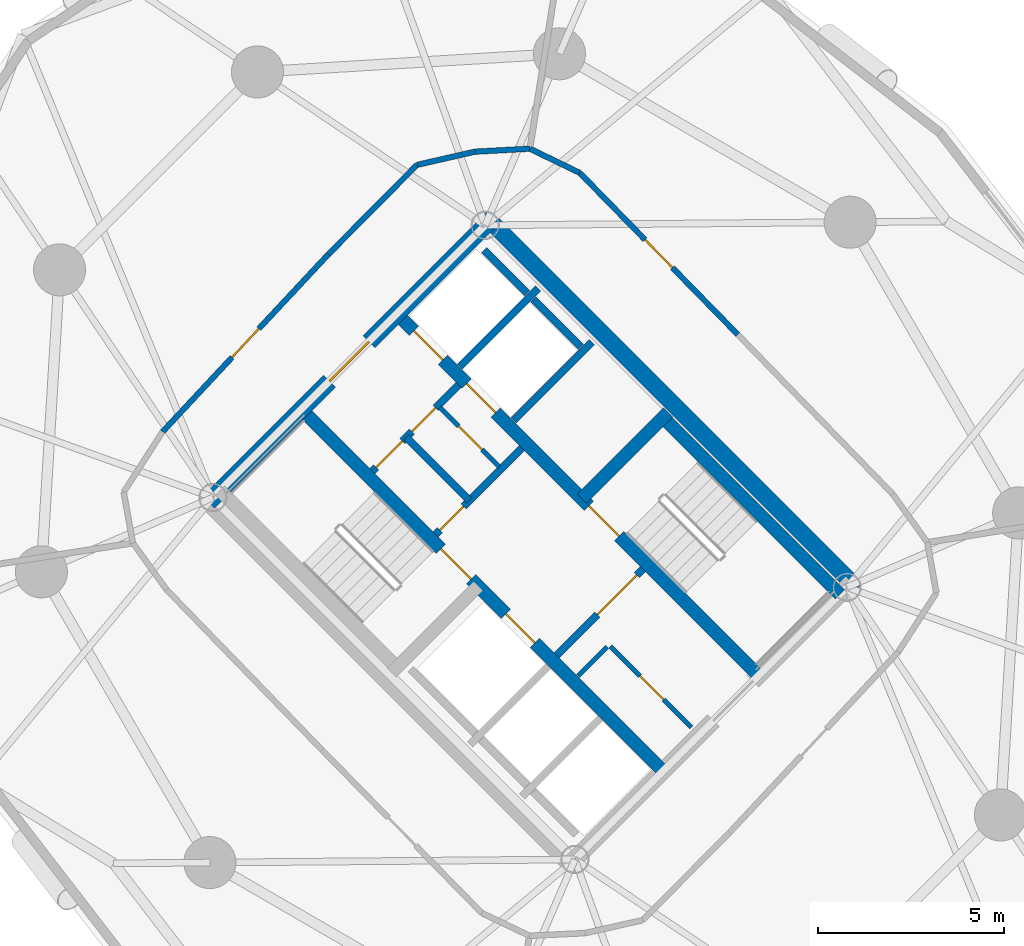
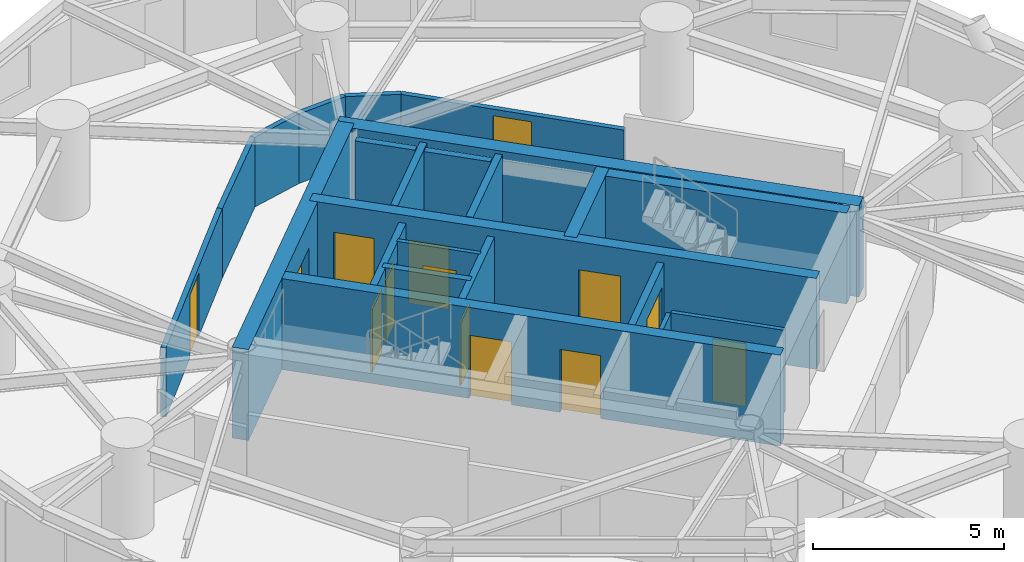
# One storey, part 12 of 17: 23 walls, 14 doors, 14 openings.
"""IFC4 building model written with IfcOpenShell, lengths in metres."""

import ifcopenshell
import ifcopenshell.guid

model = None  # the IFC model being written
_history = None  # IfcOwnerHistory: only IFC2X3 demands one
_inside = {}  # id of a spatial element -> (the spatial element, [elements in it])
_under = {}  # id of a project, library or spatial element -> (it, [spatial elements below it])
_declared = {}  # id of a project -> (the project, [libraries it declares])
_typed = {}  # id of a type object -> (the type object, [elements of that type])
_made_of = {}  # id of a material, layer set ... -> (it, [elements and type objects made of it])


def new_model(schema):
    """Start an empty IFC model of exactly this schema.

    Asked for "IFC4X3", IfcOpenShell would pick the latest addendum, in which some entities
    have other attributes; the version numbers below select the first issue.
    IFC2X3 requires an IfcOwnerHistory on every rooted entity: one is made here for all.
    """
    global model, _history
    if schema == "IFC4X3":
        model = ifcopenshell.file(schema_version=(4, 3, 0, 0))
    else:
        model = ifcopenshell.file(schema=schema)
    _inside.clear()
    _under.clear()
    _declared.clear()
    _typed.clear()
    _made_of.clear()
    _history = None
    if model.schema == "IFC2X3":
        org = make("IfcOrganization", Name="unknown")
        user = make(
            "IfcPersonAndOrganization",
            ThePerson=make("IfcPerson", FamilyName="unknown"),
            TheOrganization=org,
        )
        app = make(
            "IfcApplication",
            ApplicationDeveloper=org,
            Version="unknown",
            ApplicationFullName="unknown",
            ApplicationIdentifier="unknown",
        )
        _history = make(
            "IfcOwnerHistory",
            OwningUser=user,
            OwningApplication=app,
            ChangeAction="ADDED",
            CreationDate=0,
        )
    return model


def make(cls, **values):
    """One entity of the class cls with the attributes given. An attribute that is None is left unset."""
    return model.create_entity(
        cls, **{name: value for name, value in values.items() if value is not None}
    )


def rooted(cls, **values):
    """An entity with a GlobalId (a new one), such as an element, a storey or a relation."""
    return make(cls, GlobalId=ifcopenshell.guid.new(), OwnerHistory=_history, **values)


def si_unit(unit_type, name, prefix=None):
    """IfcSIUnit, for example si_unit("LENGTHUNIT", "METRE", prefix="MILLI")."""
    return make("IfcSIUnit", UnitType=unit_type, Prefix=prefix, Name=name)


def assignment(units):
    """IfcUnitAssignment: the units of a project."""
    return None if units is None else make("IfcUnitAssignment", Units=units)


def point(xyz):
    """IfcCartesianPoint."""
    return None if xyz is None else make("IfcCartesianPoint", Coordinates=xyz)


def direction(xyz):
    """IfcDirection."""
    return None if xyz is None else make("IfcDirection", DirectionRatios=xyz)


def frame(location, z_axis=None, x_axis=None):
    """IfcAxis2Placement3D, a coordinate frame: its origin and axes. An axis left out is left unset."""
    return make(
        "IfcAxis2Placement3D",
        Location=point(location),
        Axis=direction(z_axis),
        RefDirection=direction(x_axis),
    )


def frame_2d(location, x_axis=None):
    """IfcAxis2Placement2D, a coordinate frame in the plane: its origin and x axis."""
    return make(
        "IfcAxis2Placement2D", Location=point(location), RefDirection=direction(x_axis)
    )


def origin():
    """The frame at (0, 0, 0) with its axes left unset."""
    return frame((0.0, 0.0, 0.0))


def place(relative_to, where):
    """IfcLocalPlacement: puts the frame where relative to a parent placement (None: the world)."""
    return make(
        "IfcLocalPlacement", PlacementRelTo=relative_to, RelativePlacement=where
    )


def context(
    kind, dimensions, precision=None, world=None, true_north=None, identifier=None
):
    """IfcGeometricRepresentationContext, for example the 3D "Model" context."""
    return make(
        "IfcGeometricRepresentationContext",
        ContextIdentifier=identifier,
        ContextType=kind,
        CoordinateSpaceDimension=dimensions,
        Precision=precision,
        WorldCoordinateSystem=world,
        TrueNorth=true_north,
    )


def subcontext(parent, identifier, kind, view, scale=None):
    """IfcGeometricRepresentationSubContext, for example "Body" below "Model"."""
    return make(
        "IfcGeometricRepresentationSubContext",
        ContextIdentifier=identifier,
        ContextType=kind,
        ParentContext=parent,
        TargetScale=scale,
        TargetView=view,
    )


def project(units=None, contexts=None):
    """IfcProject with its units and contexts."""
    return rooted(
        "IfcProject",
        Name="project",
        RepresentationContexts=contexts,
        UnitsInContext=assignment(units),
    )


def spatial(cls, under=None, at=None, **own):
    """A site, building, storey or space (cls), placed at a placement, below another one or the project."""
    s = rooted(cls, ObjectPlacement=at, **own)
    if under is not None:
        _under.setdefault(under.id(), (under, []))[1].append(s)
    return s


def profile(cls, at=None, kind="AREA", **sizes):
    """A parametric profile (cls). Its sizes go by their IFC names, for example OverallWidth=200.0."""
    return make(cls, ProfileType=kind, Position=at, **sizes)


def rectangle(**sizes):
    """IfcRectangleProfileDef."""
    return profile("IfcRectangleProfileDef", **sizes)


def extrude(swept, where, along, depth):
    """IfcExtrudedAreaSolid: the profile swept, set in the frame where, extruded along a direction by depth."""
    return make(
        "IfcExtrudedAreaSolid",
        SweptArea=swept,
        Position=where,
        ExtrudedDirection=direction(along),
        Depth=depth,
    )


def shape(context_of_items, identifier, shape_type, items):
    """IfcShapeRepresentation: the items that make up one representation, for example the "Body"."""
    return make(
        "IfcShapeRepresentation",
        ContextOfItems=context_of_items,
        RepresentationIdentifier=identifier,
        RepresentationType=shape_type,
        Items=items,
    )


def source(mapping_origin, context_of_items, identifier, shape_type, items):
    """IfcRepresentationMap: a shape defined once, which mapped items show again and again."""
    return make(
        "IfcRepresentationMap",
        MappingOrigin=mapping_origin,
        MappedRepresentation=shape(context_of_items, identifier, shape_type, items),
    )


def transform(
    local_origin,
    x_axis=None,
    y_axis=None,
    z_axis=None,
    scale=None,
    scale2=None,
    scale3=None,
    uniform=True,
):
    """IfcCartesianTransformationOperator3D, or its non-uniform kind. x_axis, y_axis, z_axis: its Axis1, 2, 3."""
    if uniform:
        return make(
            "IfcCartesianTransformationOperator3D",
            Axis1=direction(x_axis),
            Axis2=direction(y_axis),
            LocalOrigin=point(local_origin),
            Scale=scale,
            Axis3=direction(z_axis),
        )
    return make(
        "IfcCartesianTransformationOperator3DnonUniform",
        Axis1=direction(x_axis),
        Axis2=direction(y_axis),
        LocalOrigin=point(local_origin),
        Scale=scale,
        Axis3=direction(z_axis),
        Scale2=scale2,
        Scale3=scale3,
    )


def mapped(mapping_source, mapping_target):
    """IfcMappedItem: shows the shape of a source again, moved by a transform."""
    return make(
        "IfcMappedItem", MappingSource=mapping_source, MappingTarget=mapping_target
    )


def material(Name=None, Category=None):
    """IfcMaterial."""
    return make("IfcMaterial", Name=Name, Category=Category)


def layer(
    of_material, thickness, ventilated=None, Name=None, Category=None, Priority=None
):
    """IfcMaterialLayer: one layer of a wall or slab, of a material (None: an air gap)."""
    return make(
        "IfcMaterialLayer",
        Material=of_material,
        LayerThickness=thickness,
        IsVentilated=ventilated,
        Name=Name,
        Category=Category,
        Priority=Priority,
    )


def layer_set(layers, Name=None):
    """IfcMaterialLayerSet."""
    return make("IfcMaterialLayerSet", MaterialLayers=layers, LayerSetName=Name)


def made_of(thing, what):
    """Note that an element or type object is made of a material, layer set ...; save() writes the relation."""
    if what is not None:
        _made_of.setdefault(what.id(), (what, []))[1].append(thing)
    return thing


def type_object(cls, material=None, **own):
    """A type object (cls), such as IfcWallType, which elements share."""
    return made_of(rooted(cls, **own), material)


def element(
    cls,
    number,
    at=None,
    inside=None,
    cuts=None,
    type_object=None,
    material=None,
    context=None,
    identifier="Body",
    shape_type=None,
    held_by="IfcProductDefinitionShape",
    body=None,
    shapes=None,
    **own,
):
    """One element of the class cls, such as IfcWall. Its Tag is "e" and its number.

    at: its placement. inside: the storey or other place that contains it. cuts: it is an
    opening in that element (IfcRelVoidsElement). A single representation is given by context,
    identifier, shape_type and body (its items); several are given by shapes. held_by: the class
    of the entity that holds the representations. save() writes the other relations.
    """
    e = rooted(cls, Tag="e%d" % number, ObjectPlacement=at, **own)
    if body is not None:
        shapes = [shape(context, identifier, shape_type, body)]
    if shapes is not None:
        e.Representation = make(held_by, Representations=shapes)
    if inside is not None:
        _inside.setdefault(inside.id(), (inside, []))[1].append(e)
    if cuts is not None:
        rooted(
            "IfcRelVoidsElement", RelatingBuildingElement=cuts, RelatedOpeningElement=e
        )
    if type_object is not None:
        _typed.setdefault(type_object.id(), (type_object, []))[1].append(e)
    return made_of(e, material)


def fill(opening, filler):
    """IfcRelFillsElement: the door or window that sits in an opening."""
    return rooted(
        "IfcRelFillsElement",
        RelatingOpeningElement=opening,
        RelatedBuildingElement=filler,
    )


def aggregate(whole, parts):
    """IfcRelAggregates: a whole, such as a stair, and the parts it consists of."""
    return rooted("IfcRelAggregates", RelatingObject=whole, RelatedObjects=parts)


def save(model, path):
    """Write the relations noted so far, then the file.

    IfcRelAggregates (storeys below a building ...), IfcRelContainedInSpatialStructure (elements
    in a storey), IfcRelDefinesByType, IfcRelAssociatesMaterial and IfcRelDeclares: one each for
    every whole, place, type object, material and project.
    """
    for whole, parts in _under.values():
        aggregate(whole, parts)
    for where, things in _inside.values():
        rooted(
            "IfcRelContainedInSpatialStructure",
            RelatedElements=things,
            RelatingStructure=where,
        )
    for kind, things in _typed.values():
        rooted("IfcRelDefinesByType", RelatedObjects=things, RelatingType=kind)
    for what, things in _made_of.values():
        rooted("IfcRelAssociatesMaterial", RelatedObjects=things, RelatingMaterial=what)
    for by, libraries in _declared.values():
        rooted("IfcRelDeclares", RelatingContext=by, RelatedDefinitions=libraries)
    model.write(path)


model = new_model("IFC4")

# Units and contexts
model_context = context("Model", 3, precision=1e-05, world=origin(), true_north=direction((0.0, 1.0)))
body_context = subcontext(model_context, "Body", "Model", "MODEL_VIEW")
ifc_project = project(units=[si_unit("LENGTHUNIT", "METRE"), si_unit("AREAUNIT", "SQUARE_METRE"), si_unit("VOLUMEUNIT", "CUBIC_METRE"), si_unit("PLANEANGLEUNIT", "RADIAN"), si_unit("MASSUNIT", "GRAM", prefix="KILO")], contexts=[model_context])

# Site, building, storey
site_placement = place(None, origin())
site = spatial("IfcSite", under=ifc_project, at=site_placement, CompositionType="ELEMENT")
building_placement = place(site_placement, origin())
building = spatial("IfcBuilding", under=site, at=building_placement, Name="Cununo Teusaquillo Station Towers", CompositionType="ELEMENT")
storey_placement = place(building_placement, frame((0.0, 0.0, 70.14990234375)))
storey = spatial("IfcBuildingStorey", under=building, at=storey_placement, Name="L21", CompositionType="ELEMENT", Elevation=70.14990234375)

# Walls
ifc_material_1 = material(Name="Concrete C50/60", Category="concrete")
ifc_layer_1 = layer(ifc_material_1, 0.199951171875)
ifc_layer_set_1 = layer_set([ifc_layer_1], Name="Concrete C50/60")
wall_type_1 = type_object("IfcWallType", Name="WL-CORE-200", PredefinedType="SHEAR", material=ifc_layer_set_1)
wall_1_placement = place(storey_placement, frame((57.0615234375, 27.781005859375, 0.0), z_axis=(0.0, 0.0, 1.0), x_axis=(0.707106781187, 0.707106781187, 0.0)))
element("IfcWall", 1, at=wall_1_placement, inside=storey, type_object=wall_type_1, Name="L21 Tower B Low-Rise Lift Hoistway South Shear Wall", PredefinedType="SHEAR", context=body_context, shape_type="SweptSolid", body=[
    extrude(rectangle(XDim=2.969970703125, YDim=0.199951171875, at=frame_2d((1.48486328125, 0.0))), origin(), (0.0, 0.0, 1.0), 2.91015625),
])
wall_2_placement = place(storey_placement, frame((55.615478515625, 29.22705078125, 0.0), z_axis=(0.0, 0.0, 1.0), x_axis=(0.707147878904, 0.70706568108, 0.0)))
element("IfcWall", 2, at=wall_2_placement, inside=storey, type_object=wall_type_1, Name="L21 Tower B Low-Rise Lift Hoistway Divider Shear Wall", PredefinedType="SHEAR", context=body_context, shape_type="SweptSolid", body=[
    extrude(rectangle(XDim=2.97021484375, YDim=0.199951171875, at=frame_2d((1.485107421875, 0.0))), origin(), (0.0, 0.0, 1.0), 2.91015625),
])
wall_3_placement = place(storey_placement, frame((58.86474609375, 29.75390625, 0.0), z_axis=(0.0, 0.0, 1.0), x_axis=(-0.707174411312, 0.707039144592, 0.0)))
element("IfcWall", 3, at=wall_3_placement, inside=storey, type_object=wall_type_1, Name="L21 Tower B Low-Rise Lift 1 Shaft Rear Shear Wall", PredefinedType="SHEAR", context=body_context, shape_type="SweptSolid", body=[
    extrude(rectangle(XDim=1.804931640625, YDim=0.199951171875, at=frame_2d((0.90234375, 0.0))), origin(), (0.0, 0.0, 1.0), 2.91015625),
])
wall_4_placement = place(storey_placement, frame((57.418701171875, 31.19970703125, 0.0), z_axis=(0.0, 0.0, 1.0), x_axis=(-0.707032117043, 0.707181437447, 0.0)))
element("IfcWall", 4, at=wall_4_placement, inside=storey, type_object=wall_type_1, Name="L21 Tower B Low-Rise Lift 2 Shaft Rear Shear Wall", PredefinedType="SHEAR", context=body_context, shape_type="SweptSolid", body=[
    extrude(rectangle(XDim=1.635009765625, YDim=0.199951171875, at=frame_2d((0.8173828125, 0.0))), origin(), (0.0, 0.0, 1.0), 2.91015625),
])

# Wall, openings, doors
ifc_material_2 = material(Name="Concrete C50/60", Category="concrete")
ifc_layer_2 = layer(ifc_material_2, 0.35009765625)
ifc_layer_set_2 = layer_set([ifc_layer_2], Name="Concrete C50/60")
wall_type_2 = type_object("IfcWallType", Name="WL-CORE-350", PredefinedType="SHEAR", material=ifc_layer_set_2)
wall_5_placement = place(storey_placement, frame((61.077880859375, 18.355224609375, 0.0), z_axis=(0.0, 0.0, 1.0), x_axis=(-0.707106781187, 0.707106781187, 0.0)))
wall_5 = element("IfcWall", 5, at=wall_5_placement, inside=storey, type_object=wall_type_2, Name="L21 Tower B Core Shear Wall IW", PredefinedType="SHEAR", context=body_context, shape_type="SweptSolid", body=[
    extrude(rectangle(XDim=13.75, YDim=0.35009765625, at=frame_2d((6.875, 0.0))), origin(), (0.0, 0.0, 1.0), 2.91015625),
])
shared_shape_1 = source(origin(), body_context, "Body", "SweptSolid", [
    extrude(rectangle(XDim=1.10009765625, YDim=2.014892578125, at=frame_2d((0.550048828125, 1.00732421875))), frame((0.0, 0.18505859375, 0.0), z_axis=(0.0, -1.0, 0.0), x_axis=(1.0, 0.0, 0.0)), (0.0, 0.0, 1.0), 0.3701171875),
])
opening_1_placement = place(wall_5_placement, frame((4.875, 0.0, 0.0)))
opening_1 = element("IfcOpeningElement", 6, at=opening_1_placement, cuts=wall_5, Name="Opening LD-01", PredefinedType="OPENING", context=body_context, shape_type="MappedRepresentation", body=[
    mapped(shared_shape_1, transform((0.0, 0.0, 0.0), x_axis=(1.0, 0.0, 0.0), y_axis=(0.0, 1.0, 0.0), z_axis=(0.0, 0.0, 1.0), scale=1.0)),
])
shared_shape_2 = source(origin(), body_context, "Body", "SweptSolid", [
    extrude(rectangle(XDim=1.14990234375, YDim=2.02001953125, at=frame_2d((0.574951171875, 1.010009765625))), frame((0.0, 0.18505859375, 0.0), z_axis=(0.0, -1.0, 0.0), x_axis=(1.0, 0.0, 0.0)), (0.0, 0.0, 1.0), 0.3701171875),
])
opening_2_placement = place(wall_5_placement, frame((7.294921875, 0.0, 0.0)))
opening_2 = element("IfcOpeningElement", 7, at=opening_2_placement, cuts=wall_5, Name="Opening D-ST1", PredefinedType="OPENING", context=body_context, shape_type="MappedRepresentation", body=[
    mapped(shared_shape_2, transform((0.0, 0.0, 0.0), x_axis=(1.0, 0.0, 0.0), y_axis=(0.0, 1.0, 0.0), z_axis=(0.0, 0.0, 1.0), scale=1.0)),
])
ifc_material_3 = material(Name="Galvanised fire-rated hollow steel door assembly", Category="steel")
door_type_1 = type_object("IfcDoorType", Name="DR-LIFT-1100", OperationType="SLIDING_TO_LEFT", PredefinedType="DOOR", material=ifc_material_3)
shared_shape_3 = source(origin(), body_context, "Body", "SweptSolid", [
    extrude(rectangle(XDim=1.10009765625, YDim=2.014892578125, at=frame_2d((0.550048828125, 1.00732421875))), frame((0.0, 0.02490234375, 0.0), z_axis=(0.0, -1.0, 0.0), x_axis=(1.0, 0.0, 0.0)), (0.0, 0.0, 1.0), 0.050048828125),
])
door_1_placement = place(opening_1_placement, origin())
door_1 = element("IfcDoor", 8, at=door_1_placement, inside=storey, type_object=door_type_1, Name="L21 Lift FL-T2 Sliding Landing Door", OperationType="SLIDING_TO_LEFT", OverallHeight=2.014892578125, OverallWidth=1.10009765625, PredefinedType="DOOR", context=body_context, shape_type="MappedRepresentation", body=[
    mapped(shared_shape_3, transform((0.0, 0.0, 0.0), x_axis=(1.0, 0.0, 0.0), y_axis=(0.0, 1.0, 0.0), z_axis=(0.0, 0.0, 1.0), scale=1.0)),
])
fill(opening_1, door_1)
ifc_material_4 = material(Name="Galvanised fire-rated hollow steel door assembly", Category="steel")
door_type_2 = type_object("IfcDoorType", Name="DR-STAIR-1150", OperationType="NOTDEFINED", PredefinedType="DOOR", material=ifc_material_4)
shared_shape_4 = source(origin(), body_context, "Body", "SweptSolid", [
    extrude(rectangle(XDim=1.14990234375, YDim=2.02001953125, at=frame_2d((0.574951171875, 1.010009765625))), frame((0.0, 0.02490234375, 0.0), z_axis=(0.0, -1.0, 0.0), x_axis=(1.0, 0.0, 0.0)), (0.0, 0.0, 1.0), 0.050048828125),
])
door_2_placement = place(opening_2_placement, origin())
door_2 = element("IfcDoor", 9, at=door_2_placement, inside=storey, type_object=door_type_2, Name="L21 Tower B Exit Stair 1 Fire Door", OperationType="SINGLE_SWING_RIGHT", OverallHeight=2.02001953125, OverallWidth=1.14990234375, PredefinedType="DOOR", context=body_context, shape_type="MappedRepresentation", body=[
    mapped(shared_shape_4, transform((0.0, 0.0, 0.0), x_axis=(1.0, 0.0, 0.0), y_axis=(0.0, 1.0, 0.0), z_axis=(0.0, 0.0, 1.0), scale=1.0)),
])
fill(opening_2, door_2)

wall_6_placement = place(storey_placement, frame((63.644775390625, 20.922119140625, 0.0), z_axis=(0.0, 0.0, 1.0), x_axis=(-0.707106781187, 0.707106781187, 0.0)))
wall_6 = element("IfcWall", 10, at=wall_6_placement, inside=storey, type_object=wall_type_2, Name="L21 Tower B Core Shear Wall IE", PredefinedType="SHEAR", context=body_context, shape_type="SweptSolid", body=[
    extrude(rectangle(XDim=13.75, YDim=0.35009765625, at=frame_2d((6.875, 0.0))), origin(), (0.0, 0.0, 1.0), 2.91015625),
])
opening_3_placement = place(wall_6_placement, frame((10.0, 0.0, 0.0)))
opening_3 = element("IfcOpeningElement", 11, at=opening_3_placement, cuts=wall_6, Name="Opening LD-01", PredefinedType="OPENING", context=body_context, shape_type="MappedRepresentation", body=[
    mapped(shared_shape_1, transform((0.0, 0.0, 0.0), x_axis=(1.0, 0.0, 0.0), y_axis=(0.0, 1.0, 0.0), z_axis=(0.0, 0.0, 1.0), scale=1.0)),
])
opening_4_placement = place(wall_6_placement, frame((12.0, 0.0, 0.0)))
opening_4 = element("IfcOpeningElement", 12, at=opening_4_placement, cuts=wall_6, Name="Opening LD-01", PredefinedType="OPENING", context=body_context, shape_type="MappedRepresentation", body=[
    mapped(shared_shape_1, transform((0.0, 0.0, 0.0), x_axis=(1.0, 0.0, 0.0), y_axis=(0.0, 1.0, 0.0), z_axis=(0.0, 0.0, 1.0), scale=1.0)),
])
opening_5_placement = place(wall_6_placement, frame((5.304931640625, 0.0, 0.0)))
opening_5 = element("IfcOpeningElement", 13, at=opening_5_placement, cuts=wall_6, Name="Opening D-ST1", PredefinedType="OPENING", context=body_context, shape_type="MappedRepresentation", body=[
    mapped(shared_shape_2, transform((0.0, 0.0, 0.0), x_axis=(1.0, 0.0, 0.0), y_axis=(0.0, 1.0, 0.0), z_axis=(0.0, 0.0, 1.0), scale=1.0)),
])
door_3_placement = place(opening_3_placement, origin())
door_3 = element("IfcDoor", 14, at=door_3_placement, inside=storey, type_object=door_type_1, Name="L21 Lift PL-T2-L1 Sliding Landing Door", OperationType="SLIDING_TO_LEFT", OverallHeight=2.014892578125, OverallWidth=1.10009765625, PredefinedType="DOOR", context=body_context, shape_type="MappedRepresentation", body=[
    mapped(shared_shape_3, transform((0.0, 0.0, 0.0), x_axis=(1.0, 0.0, 0.0), y_axis=(0.0, 1.0, 0.0), z_axis=(0.0, 0.0, 1.0), scale=1.0)),
])
fill(opening_3, door_3)
door_4_placement = place(opening_4_placement, origin())
door_4 = element("IfcDoor", 15, at=door_4_placement, inside=storey, type_object=door_type_1, Name="L21 Lift PL-T2-L2 Sliding Landing Door", OperationType="SLIDING_TO_RIGHT", OverallHeight=2.014892578125, OverallWidth=1.10009765625, PredefinedType="DOOR", context=body_context, shape_type="MappedRepresentation", body=[
    mapped(shared_shape_3, transform((0.0, 0.0, 0.0), x_axis=(1.0, 0.0, 0.0), y_axis=(0.0, 1.0, 0.0), z_axis=(0.0, 0.0, 1.0), scale=1.0)),
])
fill(opening_4, door_4)
door_5_placement = place(opening_5_placement, origin())
door_5 = element("IfcDoor", 16, at=door_5_placement, inside=storey, type_object=door_type_2, Name="L21 Tower B Exit Stair 2 Fire Door", OperationType="SINGLE_SWING_LEFT", OverallHeight=2.02001953125, OverallWidth=1.14990234375, PredefinedType="DOOR", context=body_context, shape_type="MappedRepresentation", body=[
    mapped(shared_shape_4, transform((0.0, 0.0, 0.0), x_axis=(1.0, 0.0, 0.0), y_axis=(0.0, 1.0, 0.0), z_axis=(0.0, 0.0, 1.0), scale=1.0)),
])
fill(opening_5, door_5)

# Walls
wall_7_placement = place(storey_placement, frame((65.82958984375, 23.10693359375, 0.0), z_axis=(0.0, 0.0, 1.0), x_axis=(-0.707088616009, 0.707124945897, 0.0)))
element("IfcWall", 17, at=wall_7_placement, inside=storey, type_object=wall_type_2, Name="L21 Tower B Core Shear Wall ST2E", PredefinedType="SHEAR", context=body_context, shape_type="SweptSolid", body=[
    extrude(rectangle(XDim=6.72021484375, YDim=0.35009765625, at=frame_2d((3.360107421875, 0.0))), origin(), (0.0, 0.0, 1.0), 2.91015625),
])
wall_8_placement = place(storey_placement, frame((58.89306640625, 25.673828125, 0.0), z_axis=(0.0, 0.0, 1.0), x_axis=(0.707106781187, 0.707106781187, 0.0)))
element("IfcWall", 18, at=wall_8_placement, inside=storey, type_object=wall_type_2, Name="L21 Tower B Core Shear Wall ST2N", PredefinedType="SHEAR", context=body_context, shape_type="SweptSolid", body=[
    extrude(rectangle(XDim=3.284912109375, YDim=0.35009765625, at=frame_2d((1.642578125, 0.0))), origin(), (0.0, 0.0, 1.0), 2.91015625),
])
ifc_material_5 = material(Name="Concrete C60/75", Category="concrete")
ifc_layer_3 = layer(ifc_material_5, 0.449951171875)
ifc_layer_set_3 = layer_set([ifc_layer_3], Name="Concrete C60/75")
wall_type_3 = type_object("IfcWallType", Name="WL-CORE-450", PredefinedType="SHEAR", material=ifc_layer_set_3)
wall_9_placement = place(storey_placement, frame((66.303466796875, 23.2626953125, 0.0), z_axis=(0.0, 0.0, 1.0), x_axis=(-0.707106781187, 0.707106781187, 0.0)))
element("IfcWall", 19, at=wall_9_placement, inside=storey, type_object=wall_type_3, Name="L21 Tower B Core Shear Wall E", PredefinedType="SHEAR", context=body_context, shape_type="SweptSolid", body=[
    extrude(rectangle(XDim=14.19970703125, YDim=0.449951171875, at=frame_2d((7.099853515625, 0.0))), origin(), (0.0, 0.0, 1.0), 2.91015625),
])

# Wall, opening, door
wall_10_placement = place(storey_placement, frame((48.855712890625, 25.578369140625, 0.0), z_axis=(0.0, 0.0, 1.0), x_axis=(0.707106781187, 0.707106781187, 0.0)))
wall_10 = element("IfcWall", 20, at=wall_10_placement, inside=storey, type_object=wall_type_3, Name="L21 Tower B Core Shear Wall N", PredefinedType="SHEAR", context=body_context, shape_type="SweptSolid", body=[
    extrude(rectangle(XDim=10.69970703125, YDim=0.449951171875, at=frame_2d((5.349853515625, 0.0))), origin(), (0.0, 0.0, 1.0), 2.91015625),
])
shared_shape_5 = source(origin(), body_context, "Body", "SweptSolid", [
    extrude(rectangle(XDim=1.5, YDim=2.02001953125, at=frame_2d((0.75, 1.010009765625))), frame((0.0, 0.23486328125, 0.0), z_axis=(0.0, -1.0, 0.0), x_axis=(1.0, 0.0, 0.0)), (0.0, 0.0, 1.0), 0.469970703125),
])
opening_6_placement = place(wall_10_placement, frame((4.60009765625, 0.0, 0.0)))
opening_6 = element("IfcOpeningElement", 21, at=opening_6_placement, cuts=wall_10, Name="Opening D-LB1", PredefinedType="OPENING", context=body_context, shape_type="MappedRepresentation", body=[
    mapped(shared_shape_5, transform((0.0, 0.0, 0.0), x_axis=(1.0, 0.0, 0.0), y_axis=(0.0, 1.0, 0.0), z_axis=(0.0, 0.0, 1.0), scale=1.0)),
])
ifc_material_6 = material(Name="Galvanised fire-rated hollow steel door assembly", Category="steel")
door_type_3 = type_object("IfcDoorType", Name="DR-LOBBY-1500", OperationType="DOUBLE_DOOR_SINGLE_SWING", PredefinedType="DOOR", material=ifc_material_6)
shared_shape_6 = source(origin(), body_context, "Body", "SweptSolid", [
    extrude(rectangle(XDim=1.5, YDim=2.02001953125, at=frame_2d((0.75, 1.010009765625))), frame((0.0, 0.02490234375, 0.0), z_axis=(0.0, -1.0, 0.0), x_axis=(1.0, 0.0, 0.0)), (0.0, 0.0, 1.0), 0.050048828125),
])
door_6_placement = place(opening_6_placement, origin())
door_6 = element("IfcDoor", 22, at=door_6_placement, inside=storey, type_object=door_type_3, Name="L21 Tower B North Core Lift Lobby Door", OperationType="DOUBLE_DOOR_SINGLE_SWING", OverallHeight=2.02001953125, OverallWidth=1.5, PredefinedType="DOOR", context=body_context, shape_type="MappedRepresentation", body=[
    mapped(shared_shape_6, transform((0.0, 0.0, 0.0), x_axis=(1.0, 0.0, 0.0), y_axis=(0.0, 1.0, 0.0), z_axis=(0.0, 0.0, 1.0), scale=1.0)),
])
fill(opening_6, door_6)

ifc_material_7 = material(Name="Fire-rated gypsum plasterboard partition assembly", Category="gypsum")
ifc_layer_4 = layer(ifc_material_7, 0.125)
ifc_layer_set_4 = layer_set([ifc_layer_4], Name="Fire-rated gypsum plasterboard partition assembly")
wall_type_4 = type_object("IfcWallType", Name="WL-PART-125", PredefinedType="PARTITIONING", material=ifc_layer_set_4)
wall_11_placement = place(storey_placement, frame((61.834716796875, 19.529052734375, 0.0), z_axis=(0.0, 0.0, 1.0), x_axis=(-0.707146413884, 0.707067146267, 0.0)))
wall_11 = element("IfcWall", 23, at=wall_11_placement, inside=storey, type_object=wall_type_4, Name="L21 Tower B South-West Tall Store East Wall", PredefinedType="PARTITIONING", context=body_context, shape_type="SweptSolid", body=[
    extrude(rectangle(XDim=3.079833984375, YDim=0.125, at=frame_2d((1.5400390625, 0.0))), origin(), (0.0, 0.0, 1.0), 2.655029296875),
])
shared_shape_7 = source(origin(), body_context, "Body", "SweptSolid", [
    extrude(rectangle(XDim=0.89990234375, YDim=2.0048828125, at=frame_2d((0.449951171875, 1.00244140625))), frame((0.0, 0.072509765625, 0.0), z_axis=(0.0, -1.0, 0.0), x_axis=(1.0, 0.0, 0.0)), (0.0, 0.0, 1.0), 0.14501953125),
])
opening_7_placement = place(wall_11_placement, frame((1.050048828125, 0.0, 0.0)))
opening_7 = element("IfcOpeningElement", 24, at=opening_7_placement, cuts=wall_11, Name="Opening D-SR1", PredefinedType="OPENING", context=body_context, shape_type="MappedRepresentation", body=[
    mapped(shared_shape_7, transform((0.0, 0.0, 0.0), x_axis=(1.0, 0.0, 0.0), y_axis=(0.0, 1.0, 0.0), z_axis=(0.0, 0.0, 1.0), scale=1.0)),
])
ifc_material_8 = material(Name="Galvanised fire-rated hollow steel door assembly", Category="steel")
door_type_4 = type_object("IfcDoorType", Name="DR-STORE-900", OperationType="NOTDEFINED", PredefinedType="DOOR", material=ifc_material_8)
shared_shape_8 = source(origin(), body_context, "Body", "SweptSolid", [
    extrude(rectangle(XDim=0.89990234375, YDim=2.0048828125, at=frame_2d((0.449951171875, 1.00244140625))), frame((0.0, 0.02490234375, 0.0), z_axis=(0.0, -1.0, 0.0), x_axis=(1.0, 0.0, 0.0)), (0.0, 0.0, 1.0), 0.050048828125),
])
door_7_placement = place(opening_7_placement, origin())
door_7 = element("IfcDoor", 25, at=door_7_placement, inside=storey, type_object=door_type_4, Name="L21 Tower B South Cleaners Store Door", OperationType="SINGLE_SWING_RIGHT", OverallHeight=2.0048828125, OverallWidth=0.89990234375, PredefinedType="DOOR", context=body_context, shape_type="MappedRepresentation", body=[
    mapped(shared_shape_8, transform((0.0, 0.0, 0.0), x_axis=(1.0, 0.0, 0.0), y_axis=(0.0, 1.0, 0.0), z_axis=(0.0, 0.0, 1.0), scale=1.0)),
])
fill(opening_7, door_7)

# Wall
wall_12_placement = place(storey_placement, frame((58.7939453125, 20.9150390625, 0.0), z_axis=(0.0, 0.0, 1.0), x_axis=(0.707106781187, 0.707106781187, 0.0)))
element("IfcWall", 26, at=wall_12_placement, inside=storey, type_object=wall_type_4, Name="L21 Tower B South-West Tall Store North Wall", PredefinedType="PARTITIONING", context=body_context, shape_type="SweptSolid", body=[
    extrude(rectangle(XDim=1.10009765625, YDim=0.125, at=frame_2d((0.550048828125, 0.0))), origin(), (0.0, 0.0, 1.0), 2.655029296875),
])

# Wall, opening, door
wall_13_placement = place(storey_placement, frame((56.672607421875, 26.529296875, 0.0), z_axis=(0.0, 0.0, 1.0), x_axis=(-0.707052764397, 0.70716079385, 0.0)))
wall_13 = element("IfcWall", 27, at=wall_13_placement, inside=storey, type_object=wall_type_4, Name="L21 Tower B Core Vertical Split Wall", PredefinedType="PARTITIONING", context=body_context, shape_type="SweptSolid", body=[
    extrude(rectangle(XDim=2.260009765625, YDim=0.125, at=frame_2d((1.1298828125, 0.0))), origin(), (0.0, 0.0, 1.0), 2.655029296875),
])
opening_8_placement = place(wall_13_placement, frame((0.64990234375, 0.0, 0.0)))
opening_8 = element("IfcOpeningElement", 28, at=opening_8_placement, cuts=wall_13, Name="Opening D-SR1", PredefinedType="OPENING", context=body_context, shape_type="MappedRepresentation", body=[
    mapped(shared_shape_7, transform((0.0, 0.0, 0.0), x_axis=(1.0, 0.0, 0.0), y_axis=(0.0, 1.0, 0.0), z_axis=(0.0, 0.0, 1.0), scale=1.0)),
])
door_8_placement = place(opening_8_placement, origin())
door_8 = element("IfcDoor", 29, at=door_8_placement, inside=storey, type_object=door_type_4, Name="L21 Tower B Core Electrical Room Door", OperationType="SINGLE_SWING_RIGHT", OverallHeight=2.0048828125, OverallWidth=0.89990234375, PredefinedType="DOOR", context=body_context, shape_type="MappedRepresentation", body=[
    mapped(shared_shape_8, transform((0.0, 0.0, 0.0), x_axis=(1.0, 0.0, 0.0), y_axis=(0.0, 1.0, 0.0), z_axis=(0.0, 0.0, 1.0), scale=1.0)),
])
fill(opening_8, door_8)

ifc_material_9 = material(Name="Fire-rated gypsum plasterboard partition assembly", Category="gypsum")
ifc_layer_5 = layer(ifc_material_9, 0.14990234375)
ifc_layer_set_5 = layer_set([ifc_layer_5], Name="Fire-rated gypsum plasterboard partition assembly")
wall_type_5 = type_object("IfcWallType", Name="WL-PART-150", PredefinedType="PARTITIONING", material=ifc_layer_set_5)
wall_14_placement = place(storey_placement, frame((63.086181640625, 30.086181640625, 0.0), z_axis=(0.0, 0.0, 1.0), x_axis=(-0.699032802832, 0.715089603172, 0.0)))
wall_14 = element("IfcWall", 30, at=wall_14_placement, inside=storey, type_object=wall_type_5, Name="L21 Tower B Corridor Ring Wall C00", PredefinedType="PARTITIONING", context=body_context, shape_type="SweptSolid", body=[
    extrude(rectangle(XDim=6.08203125, YDim=0.14990234375, at=frame_2d((3.041015625, 0.0))), origin(), (0.0, 0.0, 1.0), 2.22509765625),
])
shared_shape_9 = source(origin(), body_context, "Body", "SweptSolid", [
    extrude(rectangle(XDim=1.050048828125, YDim=2.014892578125, at=frame_2d((0.52490234375, 1.00732421875))), frame((0.0, 0.0849609375, 0.0), z_axis=(0.0, -1.0, 0.0), x_axis=(1.0, 0.0, 0.0)), (0.0, 0.0, 1.0), 0.169921875),
])
opening_9_placement = place(wall_14_placement, frame((2.51611328125, 0.0, 0.0)))
opening_9 = element("IfcOpeningElement", 31, at=opening_9_placement, cuts=wall_14, Name="Opening D-SU1", PredefinedType="OPENING", context=body_context, shape_type="MappedRepresentation", body=[
    mapped(shared_shape_9, transform((0.0, 0.0, 0.0), x_axis=(1.0, 0.0, 0.0), y_axis=(0.0, 1.0, 0.0), z_axis=(0.0, 0.0, 1.0), scale=1.0)),
])
ifc_material_10 = material(Name="Acoustic solid-core hardwood leaf assembly", Category="wood")
door_type_5 = type_object("IfcDoorType", Name="DR-SUITE-1050", OperationType="NOTDEFINED", PredefinedType="DOOR", material=ifc_material_10)
shared_shape_10 = source(origin(), body_context, "Body", "SweptSolid", [
    extrude(rectangle(XDim=1.050048828125, YDim=2.014892578125, at=frame_2d((0.52490234375, 1.00732421875))), frame((0.0, 0.02490234375, 0.0), z_axis=(0.0, -1.0, 0.0), x_axis=(1.0, 0.0, 0.0)), (0.0, 0.0, 1.0), 0.050048828125),
])
door_9_placement = place(opening_9_placement, origin())
door_9 = element("IfcDoor", 32, at=door_9_placement, inside=storey, type_object=door_type_5, Name="L21 Tower B North Open-Plan Corporate Landscape Office Entrance Door", OperationType="SINGLE_SWING_RIGHT", OverallHeight=2.014892578125, OverallWidth=1.050048828125, PredefinedType="DOOR", context=body_context, shape_type="MappedRepresentation", body=[
    mapped(shared_shape_10, transform((0.0, 0.0, 0.0), x_axis=(1.0, 0.0, 0.0), y_axis=(0.0, 1.0, 0.0), z_axis=(0.0, 0.0, 1.0), scale=1.0)),
])
fill(opening_9, door_9)

# Walls
wall_15_placement = place(storey_placement, frame((58.834716796875, 34.435302734375, 0.0), z_axis=(0.0, 0.0, 1.0), x_axis=(-0.900352167336, 0.4351620098, 0.0)))
element("IfcWall", 33, at=wall_15_placement, inside=storey, type_object=wall_type_5, Name="L21 Tower B Corridor Ring Wall C01", PredefinedType="PARTITIONING", context=body_context, shape_type="SweptSolid", body=[
    extrude(rectangle(XDim=1.48779296875, YDim=0.14990234375, at=frame_2d((0.743896484375, 0.0))), origin(), (0.0, 0.0, 1.0), 2.22509765625),
])
wall_16_placement = place(storey_placement, frame((57.4951171875, 35.082763671875, 0.0), z_axis=(0.0, 0.0, 1.0), x_axis=(-0.998536503254, -0.054081897798, 0.0)))
element("IfcWall", 34, at=wall_16_placement, inside=storey, type_object=wall_type_5, Name="L21 Tower B Corridor Ring Wall C02", PredefinedType="PARTITIONING", context=body_context, shape_type="SweptSolid", body=[
    extrude(rectangle(XDim=1.480712890625, YDim=0.14990234375, at=frame_2d((0.740234375, 0.0))), origin(), (0.0, 0.0, 1.0), 2.22509765625),
])
wall_17_placement = place(storey_placement, frame((56.0166015625, 35.002685546875, 0.0), z_axis=(0.0, 0.0, 1.0), x_axis=(-0.974924954781, -0.222533890777, 0.0)))
element("IfcWall", 35, at=wall_17_placement, inside=storey, type_object=wall_type_5, Name="L21 Tower B Corridor Ring Wall C03", PredefinedType="PARTITIONING", context=body_context, shape_type="SweptSolid", body=[
    extrude(rectangle(XDim=1.59521484375, YDim=0.14990234375, at=frame_2d((0.797607421875, 0.0))), origin(), (0.0, 0.0, 1.0), 2.22509765625),
])
wall_18_placement = place(storey_placement, frame((54.46142578125, 34.647705078125, 0.0), z_axis=(0.0, 0.0, 1.0), x_axis=(-0.70403409755, -0.710166170334, 0.0)))
element("IfcWall", 36, at=wall_18_placement, inside=storey, type_object=wall_type_5, Name="L21 Tower B Corridor Ring Wall C04", PredefinedType="PARTITIONING", context=body_context, shape_type="SweptSolid", body=[
    extrude(rectangle(XDim=3.38427734375, YDim=0.14990234375, at=frame_2d((1.692138671875, 0.0))), origin(), (0.0, 0.0, 1.0), 2.22509765625),
])

# Wall, opening, door
wall_19_placement = place(storey_placement, frame((52.078857421875, 32.244384765625, 0.0), z_axis=(0.0, 0.0, 1.0), x_axis=(-0.682703325574, -0.730695674854, 0.0)))
wall_19 = element("IfcWall", 37, at=wall_19_placement, inside=storey, type_object=wall_type_5, Name="L21 Tower B Corridor Ring Wall C05", PredefinedType="PARTITIONING", context=body_context, shape_type="SweptSolid", body=[
    extrude(rectangle(XDim=6.526611328125, YDim=0.14990234375, at=frame_2d((3.26318359375, 0.0))), origin(), (0.0, 0.0, 1.0), 2.22509765625),
])
opening_10_placement = place(wall_19_placement, frame((2.73828125, 0.0, 0.0)))
opening_10 = element("IfcOpeningElement", 38, at=opening_10_placement, cuts=wall_19, Name="Opening D-SU1", PredefinedType="OPENING", context=body_context, shape_type="MappedRepresentation", body=[
    mapped(shared_shape_9, transform((0.0, 0.0, 0.0), x_axis=(1.0, 0.0, 0.0), y_axis=(0.0, 1.0, 0.0), z_axis=(0.0, 0.0, 1.0), scale=1.0)),
])
door_10_placement = place(opening_10_placement, origin())
door_10 = element("IfcDoor", 39, at=door_10_placement, inside=storey, type_object=door_type_5, Name="L21 Tower B West Project Collaboration Hub Entrance Door", OperationType="SINGLE_SWING_LEFT", OverallHeight=2.014892578125, OverallWidth=1.050048828125, PredefinedType="DOOR", context=body_context, shape_type="MappedRepresentation", body=[
    mapped(shared_shape_10, transform((0.0, 0.0, 0.0), x_axis=(1.0, 0.0, 0.0), y_axis=(0.0, 1.0, 0.0), z_axis=(0.0, 0.0, 1.0), scale=1.0)),
])
fill(opening_10, door_10)

ifc_material_11 = material(Name="Fire-rated gypsum plasterboard partition assembly", Category="gypsum")
ifc_layer_6 = layer(ifc_material_11, 0.199951171875)
ifc_layer_set_6 = layer_set([ifc_layer_6], Name="Fire-rated gypsum plasterboard partition assembly")
wall_type_6 = type_object("IfcWallType", Name="WL-PART-200", PredefinedType="PARTITIONING", material=ifc_layer_set_6)
wall_20_placement = place(storey_placement, frame((58.214111328125, 21.466552734375, 0.0), z_axis=(0.0, 0.0, 1.0), x_axis=(0.707106781187, 0.707106781187, 0.0)))
wall_20 = element("IfcWall", 40, at=wall_20_placement, inside=storey, type_object=wall_type_6, Name="L21 Tower B Firefighting Lift Lobby South Fire Wall", PredefinedType="PARTITIONING", context=body_context, shape_type="SweptSolid", body=[
    extrude(rectangle(XDim=3.280029296875, YDim=0.199951171875, at=frame_2d((1.64013671875, 0.0))), origin(), (0.0, 0.0, 1.0), 2.655029296875),
])
shared_shape_11 = source(origin(), body_context, "Body", "SweptSolid", [
    extrude(rectangle(XDim=1.5, YDim=2.02001953125, at=frame_2d((0.75, 1.010009765625))), frame((0.0, 0.10986328125, 0.0), z_axis=(0.0, -1.0, 0.0), x_axis=(1.0, 0.0, 0.0)), (0.0, 0.0, 1.0), 0.219970703125),
])
opening_11_placement = place(wall_20_placement, frame((1.550048828125, 0.0, 0.0)))
opening_11 = element("IfcOpeningElement", 41, at=opening_11_placement, cuts=wall_20, Name="Opening D-LB1", PredefinedType="OPENING", context=body_context, shape_type="MappedRepresentation", body=[
    mapped(shared_shape_11, transform((0.0, 0.0, 0.0), x_axis=(1.0, 0.0, 0.0), y_axis=(0.0, 1.0, 0.0), z_axis=(0.0, 0.0, 1.0), scale=1.0)),
])
door_11_placement = place(opening_11_placement, origin())
door_11 = element("IfcDoor", 42, at=door_11_placement, inside=storey, type_object=door_type_3, Name="L21 Tower B Firefighting Lift Lobby South Fire Door", OperationType="DOUBLE_DOOR_SINGLE_SWING", OverallHeight=2.02001953125, OverallWidth=1.5, PredefinedType="DOOR", context=body_context, shape_type="MappedRepresentation", body=[
    mapped(shared_shape_6, transform((0.0, 0.0, 0.0), x_axis=(1.0, 0.0, 0.0), y_axis=(0.0, 1.0, 0.0), z_axis=(0.0, 0.0, 1.0), scale=1.0)),
])
fill(opening_11, door_11)

wall_21_placement = place(storey_placement, frame((54.96142578125, 24.71923828125, 0.0), z_axis=(0.0, 0.0, 1.0), x_axis=(0.707106781187, 0.707106781187, 0.0)))
wall_21 = element("IfcWall", 43, at=wall_21_placement, inside=storey, type_object=wall_type_6, Name="L21 Tower B Firefighting Lift Lobby North Fire Wall", PredefinedType="PARTITIONING", context=body_context, shape_type="SweptSolid", body=[
    extrude(rectangle(XDim=3.280029296875, YDim=0.199951171875, at=frame_2d((1.64013671875, 0.0))), origin(), (0.0, 0.0, 1.0), 2.655029296875),
])
shared_shape_12 = source(origin(), body_context, "Body", "SweptSolid", [
    extrude(rectangle(XDim=0.89990234375, YDim=2.0048828125, at=frame_2d((0.449951171875, 1.00244140625))), frame((0.0, 0.10986328125, 0.0), z_axis=(0.0, -1.0, 0.0), x_axis=(1.0, 0.0, 0.0)), (0.0, 0.0, 1.0), 0.219970703125),
])
opening_12_placement = place(wall_21_placement, frame((0.159912109375, 0.0, 0.0)))
opening_12 = element("IfcOpeningElement", 44, at=opening_12_placement, cuts=wall_21, Name="Opening D-SR1", PredefinedType="OPENING", context=body_context, shape_type="MappedRepresentation", body=[
    mapped(shared_shape_12, transform((0.0, 0.0, 0.0), x_axis=(1.0, 0.0, 0.0), y_axis=(0.0, 1.0, 0.0), z_axis=(0.0, 0.0, 1.0), scale=1.0)),
])
door_12_placement = place(opening_12_placement, origin())
door_12 = element("IfcDoor", 45, at=door_12_placement, inside=storey, type_object=door_type_4, Name="L21 Tower B Stair 1 Protected Vestibule South Door", OperationType="SINGLE_SWING_RIGHT", OverallHeight=2.0048828125, OverallWidth=0.89990234375, PredefinedType="DOOR", context=body_context, shape_type="MappedRepresentation", body=[
    mapped(shared_shape_8, transform((0.0, 0.0, 0.0), x_axis=(1.0, 0.0, 0.0), y_axis=(0.0, 1.0, 0.0), z_axis=(0.0, 0.0, 1.0), scale=1.0)),
])
fill(opening_12, door_12)

# Wall
wall_22_placement = place(storey_placement, frame((55.873779296875, 25.63134765625, 0.0), z_axis=(0.0, 0.0, 1.0), x_axis=(-0.707157639372, 0.707055919343, 0.0)))
element("IfcWall", 46, at=wall_22_placement, inside=storey, type_object=wall_type_6, Name="L21 Tower B Stair 1 Vestibule Partition Wall", PredefinedType="PARTITIONING", context=body_context, shape_type="SweptSolid", body=[
    extrude(rectangle(XDim=2.400146484375, YDim=0.199951171875, at=frame_2d((1.2001953125, 0.0))), origin(), (0.0, 0.0, 1.0), 2.655029296875),
])

# Wall, openings, doors
wall_23_placement = place(storey_placement, frame((53.264404296875, 26.416259765625, 0.0), z_axis=(0.0, 0.0, 1.0), x_axis=(0.707106781187, 0.707106781187, 0.0)))
wall_23 = element("IfcWall", 47, at=wall_23_placement, inside=storey, type_object=wall_type_6, Name="L21 Tower B North Lift Lobby South Fire Wall", PredefinedType="PARTITIONING", context=body_context, shape_type="SweptSolid", body=[
    extrude(rectangle(XDim=3.280029296875, YDim=0.199951171875, at=frame_2d((1.64013671875, 0.0))), origin(), (0.0, 0.0, 1.0), 2.655029296875),
])
shared_shape_13 = source(origin(), body_context, "Body", "SweptSolid", [
    extrude(rectangle(XDim=1.0, YDim=2.014892578125, at=frame_2d((0.5, 1.00732421875))), frame((0.0, 0.10986328125, 0.0), z_axis=(0.0, -1.0, 0.0), x_axis=(1.0, 0.0, 0.0)), (0.0, 0.0, 1.0), 0.219970703125),
])
opening_13_placement = place(wall_23_placement, frame((0.139892578125, 0.0, 0.0)))
opening_13 = element("IfcOpeningElement", 48, at=opening_13_placement, cuts=wall_23, Name="Opening D-AC1", PredefinedType="OPENING", context=body_context, shape_type="MappedRepresentation", body=[
    mapped(shared_shape_13, transform((0.0, 0.0, 0.0), x_axis=(1.0, 0.0, 0.0), y_axis=(0.0, 1.0, 0.0), z_axis=(0.0, 0.0, 1.0), scale=1.0)),
])
opening_14_placement = place(wall_23_placement, frame((1.5, 0.0, 0.0)))
opening_14 = element("IfcOpeningElement", 49, at=opening_14_placement, cuts=wall_23, Name="Opening D-SR1", PredefinedType="OPENING", context=body_context, shape_type="MappedRepresentation", body=[
    mapped(shared_shape_12, transform((0.0, 0.0, 0.0), x_axis=(1.0, 0.0, 0.0), y_axis=(0.0, 1.0, 0.0), z_axis=(0.0, 0.0, 1.0), scale=1.0)),
])
door_13_placement = place(opening_14_placement, origin())
door_13 = element("IfcDoor", 50, at=door_13_placement, inside=storey, type_object=door_type_4, Name="L21 Tower B Core Housekeeping Store Door", OperationType="SINGLE_SWING_LEFT", OverallHeight=2.0048828125, OverallWidth=0.89990234375, PredefinedType="DOOR", context=body_context, shape_type="MappedRepresentation", body=[
    mapped(shared_shape_8, transform((0.0, 0.0, 0.0), x_axis=(1.0, 0.0, 0.0), y_axis=(0.0, 1.0, 0.0), z_axis=(0.0, 0.0, 1.0), scale=1.0)),
])
fill(opening_14, door_13)
ifc_material_12 = material(Name="Acoustic solid-core hardwood leaf assembly", Category="wood")
door_type_6 = type_object("IfcDoorType", Name="DR-ACC-1000", OperationType="NOTDEFINED", PredefinedType="DOOR", material=ifc_material_12)
shared_shape_14 = source(origin(), body_context, "Body", "SweptSolid", [
    extrude(rectangle(XDim=1.0, YDim=2.014892578125, at=frame_2d((0.5, 1.00732421875))), frame((0.0, 0.02490234375, 0.0), z_axis=(0.0, -1.0, 0.0), x_axis=(1.0, 0.0, 0.0)), (0.0, 0.0, 1.0), 0.050048828125),
])
door_14_placement = place(opening_13_placement, origin())
door_14 = element("IfcDoor", 51, at=door_14_placement, inside=storey, type_object=door_type_6, Name="L21 Tower B North Lift Lobby to Stair 1 Vestibule Door", OperationType="SINGLE_SWING_LEFT", OverallHeight=2.014892578125, OverallWidth=1.0, PredefinedType="DOOR", context=body_context, shape_type="MappedRepresentation", body=[
    mapped(shared_shape_14, transform((0.0, 0.0, 0.0), x_axis=(1.0, 0.0, 0.0), y_axis=(0.0, 1.0, 0.0), z_axis=(0.0, 0.0, 1.0), scale=1.0)),
])
fill(opening_13, door_14)

save(model, "model.ifc")
